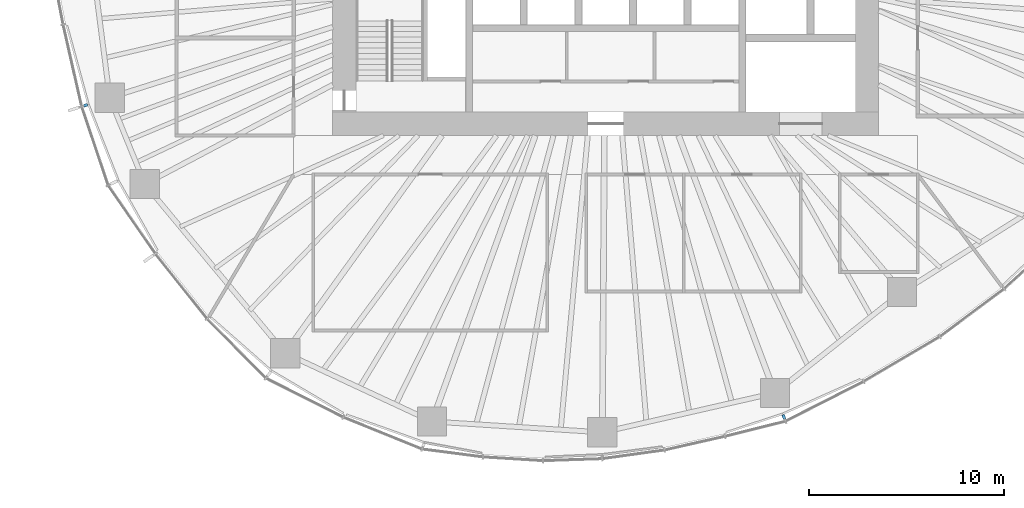
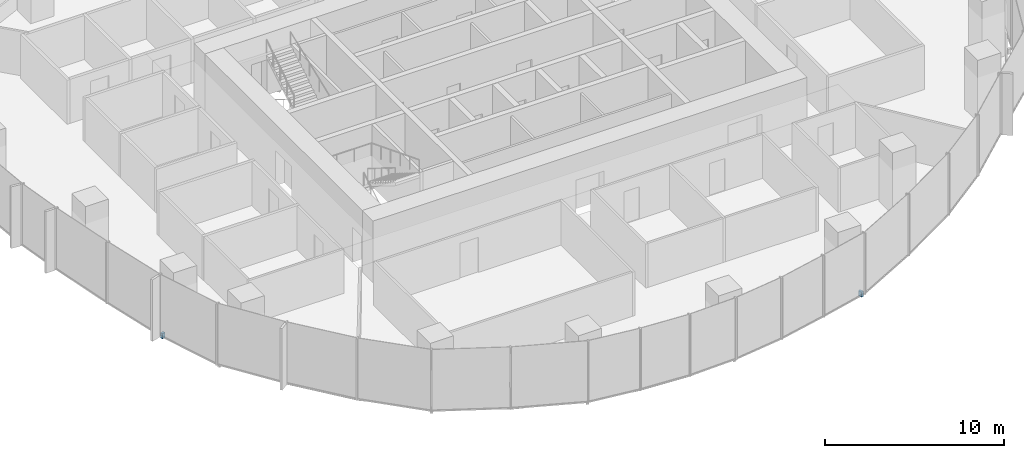
# One storey, part 13 of 18: 2 discrete accessories.
"""IFC4 building model written with IfcOpenShell, lengths in metres."""

import ifcopenshell
import ifcopenshell.guid

model = None  # the IFC model being written
_history = None  # IfcOwnerHistory: only IFC2X3 demands one
_inside = {}  # id of a spatial element -> (the spatial element, [elements in it])
_under = {}  # id of a project, library or spatial element -> (it, [spatial elements below it])
_declared = {}  # id of a project -> (the project, [libraries it declares])
_typed = {}  # id of a type object -> (the type object, [elements of that type])
_made_of = {}  # id of a material, layer set ... -> (it, [elements and type objects made of it])


def new_model(schema):
    """Start an empty IFC model of exactly this schema.

    Asked for "IFC4X3", IfcOpenShell would pick the latest addendum, in which some entities
    have other attributes; the version numbers below select the first issue.
    IFC2X3 requires an IfcOwnerHistory on every rooted entity: one is made here for all.
    """
    global model, _history
    if schema == "IFC4X3":
        model = ifcopenshell.file(schema_version=(4, 3, 0, 0))
    else:
        model = ifcopenshell.file(schema=schema)
    _inside.clear()
    _under.clear()
    _declared.clear()
    _typed.clear()
    _made_of.clear()
    _history = None
    if model.schema == "IFC2X3":
        org = make("IfcOrganization", Name="unknown")
        user = make(
            "IfcPersonAndOrganization",
            ThePerson=make("IfcPerson", FamilyName="unknown"),
            TheOrganization=org,
        )
        app = make(
            "IfcApplication",
            ApplicationDeveloper=org,
            Version="unknown",
            ApplicationFullName="unknown",
            ApplicationIdentifier="unknown",
        )
        _history = make(
            "IfcOwnerHistory",
            OwningUser=user,
            OwningApplication=app,
            ChangeAction="ADDED",
            CreationDate=0,
        )
    return model


def make(cls, **values):
    """One entity of the class cls with the attributes given. An attribute that is None is left unset."""
    return model.create_entity(
        cls, **{name: value for name, value in values.items() if value is not None}
    )


def rooted(cls, **values):
    """An entity with a GlobalId (a new one), such as an element, a storey or a relation."""
    return make(cls, GlobalId=ifcopenshell.guid.new(), OwnerHistory=_history, **values)


def si_unit(unit_type, name, prefix=None):
    """IfcSIUnit, for example si_unit("LENGTHUNIT", "METRE", prefix="MILLI")."""
    return make("IfcSIUnit", UnitType=unit_type, Prefix=prefix, Name=name)


def assignment(units):
    """IfcUnitAssignment: the units of a project."""
    return None if units is None else make("IfcUnitAssignment", Units=units)


def point(xyz):
    """IfcCartesianPoint."""
    return None if xyz is None else make("IfcCartesianPoint", Coordinates=xyz)


def direction(xyz):
    """IfcDirection."""
    return None if xyz is None else make("IfcDirection", DirectionRatios=xyz)


def frame(location, z_axis=None, x_axis=None):
    """IfcAxis2Placement3D, a coordinate frame: its origin and axes. An axis left out is left unset."""
    return make(
        "IfcAxis2Placement3D",
        Location=point(location),
        Axis=direction(z_axis),
        RefDirection=direction(x_axis),
    )


def frame_2d(location, x_axis=None):
    """IfcAxis2Placement2D, a coordinate frame in the plane: its origin and x axis."""
    return make(
        "IfcAxis2Placement2D", Location=point(location), RefDirection=direction(x_axis)
    )


def origin():
    """The frame at (0, 0, 0) with its axes left unset."""
    return frame((0.0, 0.0, 0.0))


def origin_2d():
    """The frame at (0, 0) in the plane with its x axis left unset."""
    return frame_2d((0.0, 0.0))


def place(relative_to, where):
    """IfcLocalPlacement: puts the frame where relative to a parent placement (None: the world)."""
    return make(
        "IfcLocalPlacement", PlacementRelTo=relative_to, RelativePlacement=where
    )


def context(
    kind, dimensions, precision=None, world=None, true_north=None, identifier=None
):
    """IfcGeometricRepresentationContext, for example the 3D "Model" context."""
    return make(
        "IfcGeometricRepresentationContext",
        ContextIdentifier=identifier,
        ContextType=kind,
        CoordinateSpaceDimension=dimensions,
        Precision=precision,
        WorldCoordinateSystem=world,
        TrueNorth=true_north,
    )


def subcontext(parent, identifier, kind, view, scale=None):
    """IfcGeometricRepresentationSubContext, for example "Body" below "Model"."""
    return make(
        "IfcGeometricRepresentationSubContext",
        ContextIdentifier=identifier,
        ContextType=kind,
        ParentContext=parent,
        TargetScale=scale,
        TargetView=view,
    )


def project(units=None, contexts=None):
    """IfcProject with its units and contexts."""
    return rooted(
        "IfcProject",
        Name="project",
        RepresentationContexts=contexts,
        UnitsInContext=assignment(units),
    )


def spatial(cls, under=None, at=None, **own):
    """A site, building, storey or space (cls), placed at a placement, below another one or the project."""
    s = rooted(cls, ObjectPlacement=at, **own)
    if under is not None:
        _under.setdefault(under.id(), (under, []))[1].append(s)
    return s


def profile(cls, at=None, kind="AREA", **sizes):
    """A parametric profile (cls). Its sizes go by their IFC names, for example OverallWidth=200.0."""
    return make(cls, ProfileType=kind, Position=at, **sizes)


def rectangle(**sizes):
    """IfcRectangleProfileDef."""
    return profile("IfcRectangleProfileDef", **sizes)


def extrude(swept, where, along, depth):
    """IfcExtrudedAreaSolid: the profile swept, set in the frame where, extruded along a direction by depth."""
    return make(
        "IfcExtrudedAreaSolid",
        SweptArea=swept,
        Position=where,
        ExtrudedDirection=direction(along),
        Depth=depth,
    )


def shape(context_of_items, identifier, shape_type, items):
    """IfcShapeRepresentation: the items that make up one representation, for example the "Body"."""
    return make(
        "IfcShapeRepresentation",
        ContextOfItems=context_of_items,
        RepresentationIdentifier=identifier,
        RepresentationType=shape_type,
        Items=items,
    )


def material(Name=None, Category=None):
    """IfcMaterial."""
    return make("IfcMaterial", Name=Name, Category=Category)


def made_of(thing, what):
    """Note that an element or type object is made of a material, layer set ...; save() writes the relation."""
    if what is not None:
        _made_of.setdefault(what.id(), (what, []))[1].append(thing)
    return thing


def type_object(cls, material=None, **own):
    """A type object (cls), such as IfcWallType, which elements share."""
    return made_of(rooted(cls, **own), material)


def element(
    cls,
    number,
    at=None,
    inside=None,
    cuts=None,
    type_object=None,
    material=None,
    context=None,
    identifier="Body",
    shape_type=None,
    held_by="IfcProductDefinitionShape",
    body=None,
    shapes=None,
    **own,
):
    """One element of the class cls, such as IfcWall. Its Tag is "e" and its number.

    at: its placement. inside: the storey or other place that contains it. cuts: it is an
    opening in that element (IfcRelVoidsElement). A single representation is given by context,
    identifier, shape_type and body (its items); several are given by shapes. held_by: the class
    of the entity that holds the representations. save() writes the other relations.
    """
    e = rooted(cls, Tag="e%d" % number, ObjectPlacement=at, **own)
    if body is not None:
        shapes = [shape(context, identifier, shape_type, body)]
    if shapes is not None:
        e.Representation = make(held_by, Representations=shapes)
    if inside is not None:
        _inside.setdefault(inside.id(), (inside, []))[1].append(e)
    if cuts is not None:
        rooted(
            "IfcRelVoidsElement", RelatingBuildingElement=cuts, RelatedOpeningElement=e
        )
    if type_object is not None:
        _typed.setdefault(type_object.id(), (type_object, []))[1].append(e)
    return made_of(e, material)


def aggregate(whole, parts):
    """IfcRelAggregates: a whole, such as a stair, and the parts it consists of."""
    return rooted("IfcRelAggregates", RelatingObject=whole, RelatedObjects=parts)


def save(model, path):
    """Write the relations noted so far, then the file.

    IfcRelAggregates (storeys below a building ...), IfcRelContainedInSpatialStructure (elements
    in a storey), IfcRelDefinesByType, IfcRelAssociatesMaterial and IfcRelDeclares: one each for
    every whole, place, type object, material and project.
    """
    for whole, parts in _under.values():
        aggregate(whole, parts)
    for where, things in _inside.values():
        rooted(
            "IfcRelContainedInSpatialStructure",
            RelatedElements=things,
            RelatingStructure=where,
        )
    for kind, things in _typed.values():
        rooted("IfcRelDefinesByType", RelatedObjects=things, RelatingType=kind)
    for what, things in _made_of.values():
        rooted("IfcRelAssociatesMaterial", RelatedObjects=things, RelatingMaterial=what)
    for by, libraries in _declared.values():
        rooted("IfcRelDeclares", RelatingContext=by, RelatedDefinitions=libraries)
    model.write(path)


model = new_model("IFC4")

# Units and contexts
model_context = context("Model", 3, precision=1e-05, world=origin(), true_north=direction((0.0, 1.0)))
body_context = subcontext(model_context, "Body", "Model", "MODEL_VIEW")
ifc_project = project(units=[si_unit("LENGTHUNIT", "METRE"), si_unit("AREAUNIT", "SQUARE_METRE"), si_unit("VOLUMEUNIT", "CUBIC_METRE"), si_unit("PLANEANGLEUNIT", "RADIAN"), si_unit("MASSUNIT", "GRAM", prefix="KILO")], contexts=[model_context])

# Site, building, storey
site_placement = place(None, origin())
site = spatial("IfcSite", under=ifc_project, at=site_placement, CompositionType="ELEMENT")
building_placement = place(site_placement, origin())
building = spatial("IfcBuilding", under=site, at=building_placement, Name="Ghaith Harvest Tower", CompositionType="ELEMENT")
storey_placement = place(building_placement, frame((0.0, 0.0, 138.60009765625)))
storey = spatial("IfcBuildingStorey", under=building, at=storey_placement, Name="L29", CompositionType="ELEMENT", Elevation=138.60009765625)

# Discrete accessories
ifc_material_1 = material(Name="Stainless steel grade 1.4401", Category="steel")
discrete_accessory_type_1 = type_object("IfcDiscreteAccessoryType", Name="CURTAIN WALL BRACKET 205", PredefinedType="BRACKET", material=ifc_material_1)
discrete_accessory_1_placement = place(storey_placement, frame((-26.673095703125, -8.453125, -0.250244140625), z_axis=(0.0, 0.0, 1.0), x_axis=(-0.953273219416, -0.302109531701, 0.0)))
element("IfcDiscreteAccessory", 1, at=discrete_accessory_1_placement, inside=storey, type_object=discrete_accessory_type_1, Name="CW-L bracket 1 bay 12 L29", PredefinedType="BRACKET", context=body_context, shape_type="SweptSolid", body=[
    extrude(rectangle(XDim=0.205078125, YDim=0.14990234375, at=origin_2d()), origin(), (0.0, 0.0, 1.0), 0.35009765625),
])
ifc_material_2 = material(Name="Stainless steel grade 1.4401", Category="steel")
discrete_accessory_type_2 = type_object("IfcDiscreteAccessoryType", Name="CURTAIN WALL BRACKET 245", PredefinedType="BRACKET", material=ifc_material_2)
discrete_accessory_2_placement = place(storey_placement, frame((9.135498046875, -24.436767578125, -0.250244140625), z_axis=(0.0, 0.0, 1.0), x_axis=(0.35016769691, -0.93668702566, 0.0)))
element("IfcDiscreteAccessory", 2, at=discrete_accessory_2_placement, inside=storey, type_object=discrete_accessory_type_2, Name="CW-L bracket 1 bay 17 L29", PredefinedType="BRACKET", context=body_context, shape_type="SweptSolid", body=[
    extrude(rectangle(XDim=0.2451171875, YDim=0.14990234375, at=origin_2d()), origin(), (0.0, 0.0, 1.0), 0.35009765625),
])

save(model, "model.ifc")
